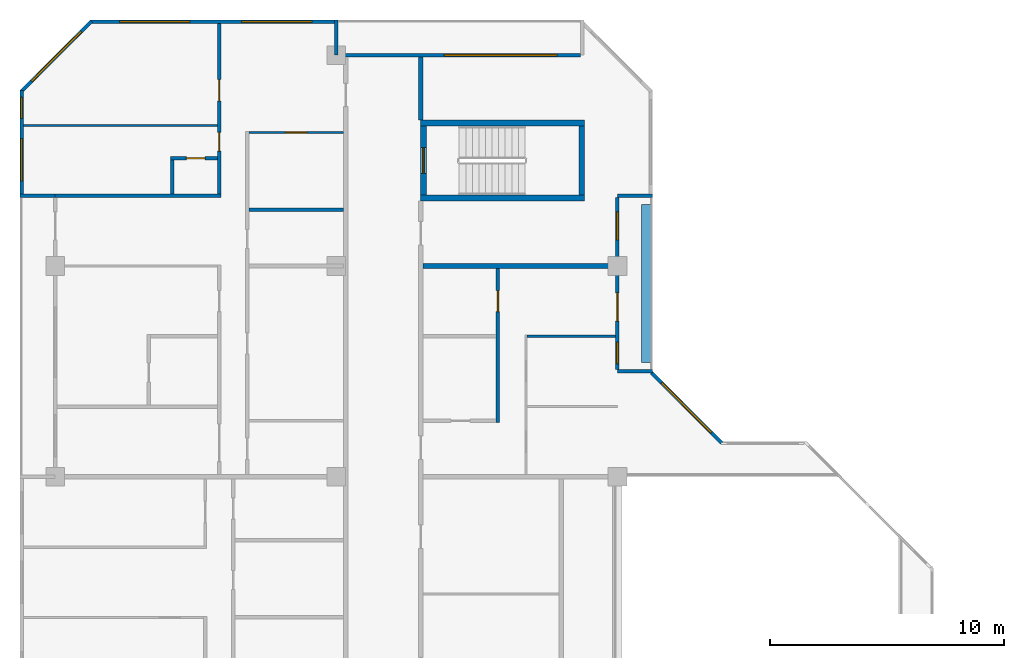
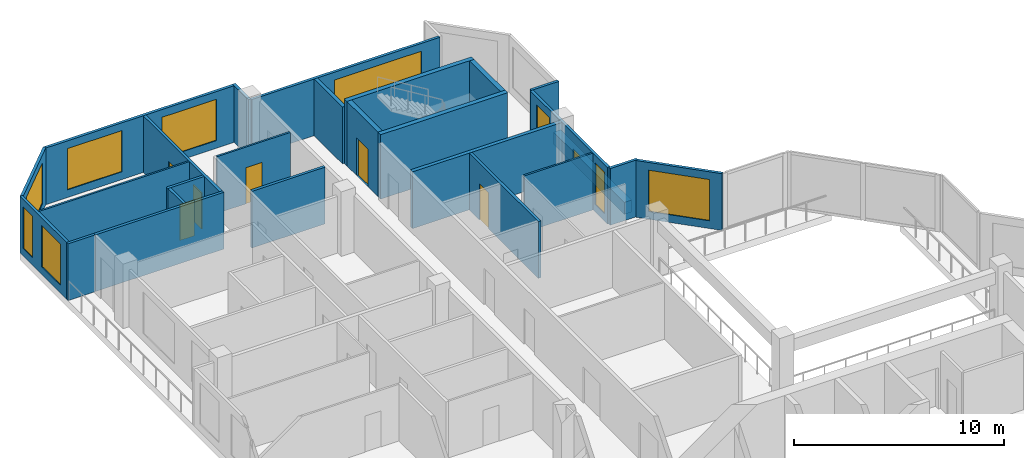
# One storey, part 10 of 13: 26 walls, 9 windows, 7 doors, 16 openings.
"""IFC4 building model written with IfcOpenShell, lengths in metres."""

from ifc_helpers import new_model, si_unit, direction, frame, frame_2d, origin, place, context, subcontext, project, spatial, rectangle, extrude, material, layer, layer_set, type_object, element, fill, save


model = new_model("IFC4")

# Units and contexts
model_context = context("Model", 3, precision=1e-05, world=origin(), true_north=direction((0.0, 1.0)))
body_context = subcontext(model_context, "Body", "Model", "MODEL_VIEW")
ifc_project = project(units=[si_unit("LENGTHUNIT", "METRE"), si_unit("AREAUNIT", "SQUARE_METRE"), si_unit("VOLUMEUNIT", "CUBIC_METRE"), si_unit("PLANEANGLEUNIT", "RADIAN"), si_unit("MASSUNIT", "GRAM", prefix="KILO")], contexts=[model_context])

# Site, building, storey
site_placement = place(None, origin())
site = spatial("IfcSite", under=ifc_project, at=site_placement, CompositionType="ELEMENT")
building_placement = place(site_placement, origin())
building = spatial("IfcBuilding", under=site, at=building_placement, Name="Chenar Terraces", CompositionType="ELEMENT")
storey_placement = place(building_placement, frame((0.0, 0.0, 318.39990234375)))
storey = spatial("IfcBuildingStorey", under=building, at=storey_placement, Name="L75", CompositionType="ELEMENT", Elevation=318.39990234375)

# Walls
ifc_material_1 = material(Name="Concrete C50/60", Category="concrete")
ifc_layer_1 = layer(ifc_material_1, 0.25)
ifc_layer_set_1 = layer_set([ifc_layer_1], Name="Concrete C50/60")
wall_type_1 = type_object("IfcWallType", Name="Core wall 250 Concrete C50/60", PredefinedType="SHEAR", material=ifc_layer_set_1)
for number, where, z_axis, x_axis, name in (
    (1, (15.60009765625, 47.89990234375, 0.0), (0.0, 0.0, 1.0), (1.0, 0.0, 0.0), "Core wall ST4_S L75"),
    (2, (15.60009765625, 51.10009765625, 0.0), (0.0, 0.0, 1.0), (1.0, 0.0, 0.0), "Core wall ST4_N L75"),
):
    element("IfcWall", number, at=place(storey_placement, frame(where, z_axis=z_axis, x_axis=x_axis)), inside=storey, type_object=wall_type_1, Name=name, PredefinedType="SHEAR", context=body_context, shape_type="SweptSolid", body=[
        extrude(rectangle(XDim=7.0, YDim=0.25, at=frame_2d((3.5, 0.0))), origin(), (0.0, 0.0, 1.0), 3.75),
    ])

# Wall, opening, door
wall_1_placement = place(storey_placement, frame((15.72509765625, 48.02490234375, 0.0), z_axis=(0.0, 0.0, 1.0), x_axis=(0.0, 1.0, 0.0)))
wall_1 = element("IfcWall", 3, at=wall_1_placement, inside=storey, type_object=wall_type_1, Name="Core wall ST4_W L75", PredefinedType="SHEAR", context=body_context, shape_type="SweptSolid", body=[
    extrude(rectangle(XDim=2.9501953125, YDim=0.25, at=frame_2d((1.47509765625, 0.0))), origin(), (0.0, 0.0, 1.0), 3.75),
])
opening_1_placement = place(wall_1_placement, frame((0.925048828125, 0.0, 0.0)))
opening_1 = element("IfcOpeningElement", 4, at=opening_1_placement, cuts=wall_1, Name="Opening DL75-C9", PredefinedType="OPENING", context=body_context, shape_type="SweptSolid", body=[
    extrude(rectangle(XDim=1.10009765625, YDim=2.199951171875, at=frame_2d((0.550048828125, 1.10009765625))), frame((0.0, 0.135009765625, 0.0), z_axis=(0.0, -1.0, 0.0), x_axis=(1.0, 0.0, 0.0)), (0.0, 0.0, 1.0), 0.27001953125),
])
ifc_material_2 = material(Name="Steel-framed fire-resisting door leaf", Category="steel")
door_type_1 = type_object("IfcDoorType", Name="Stair fire door FD60 1100 x 2200", OperationType="SINGLE_SWING_LEFT", PredefinedType="DOOR", material=ifc_material_2)
door_1_placement = place(opening_1_placement, frame((1.10009765625, 0.0, 0.0), z_axis=(0.0, 0.0, 1.0), x_axis=(-1.0, 0.0, 0.0)))
door_1 = element("IfcDoor", 5, at=door_1_placement, inside=storey, type_object=door_type_1, Name="Stair door DL75-C9", OperationType="SINGLE_SWING_RIGHT", OverallHeight=2.199951171875, OverallWidth=1.10009765625, PredefinedType="DOOR", context=body_context, shape_type="SweptSolid", body=[
    extrude(rectangle(XDim=1.10009765625, YDim=2.199951171875, at=frame_2d((0.550048828125, 1.10009765625))), frame((0.0, 0.02490234375, 0.0), z_axis=(0.0, -1.0, 0.0), x_axis=(1.0, 0.0, 0.0)), (0.0, 0.0, 1.0), 0.050048828125),
])
fill(opening_1, door_1)

# Walls
wall_2_placement = place(storey_placement, frame((22.47509765625, 48.02490234375, 0.0), z_axis=(0.0, 0.0, 1.0), x_axis=(0.0, 1.0, 0.0)))
element("IfcWall", 6, at=wall_2_placement, inside=storey, type_object=wall_type_1, Name="Core wall ST4_E L75", PredefinedType="SHEAR", context=body_context, shape_type="SweptSolid", body=[
    extrude(rectangle(XDim=2.9501953125, YDim=0.25, at=frame_2d((1.47509765625, 0.0))), origin(), (0.0, 0.0, 1.0), 3.75),
])
ifc_material_3 = material(Name="Gypsum board on steel studs with fire boards", Category="steel")
ifc_layer_2 = layer(ifc_material_3, 0.199951171875)
ifc_layer_set_2 = layer_set([ifc_layer_2], Name="Gypsum board on steel studs with fire boards")
wall_type_2 = type_object("IfcWallType", Name="Corridor wall 200", PredefinedType="PARTITIONING", material=ifc_layer_set_2)
wall_3_placement = place(storey_placement, frame((15.60009765625, 51.22509765625, 0.0), z_axis=(0.0, 0.0, 1.0), x_axis=(0.0, 1.0, 0.0)))
element("IfcWall", 7, at=wall_3_placement, inside=storey, type_object=wall_type_2, Name="Partition L75-037", PredefinedType="PARTITIONING", context=body_context, shape_type="SweptSolid", body=[
    extrude(rectangle(XDim=2.700927734375, YDim=0.199951171875, at=frame_2d((1.3505859375, 0.0))), origin(), (0.0, 0.0, 1.0), 3.300048828125),
])

# Wall, openings, windows
ifc_material_4 = material(Name="Aluminium framed glazing", Category="aluminium")
ifc_layer_3 = layer(ifc_material_4, 0.14990234375)
ifc_layer_set_3 = layer_set([ifc_layer_3], Name="Aluminium framed glazing")
wall_type_3 = type_object("IfcWallType", Name="Glazed flush facade wall 150", PredefinedType="SOLIDWALL", material=ifc_layer_set_3)
wall_4_placement = place(storey_placement, frame((11.925048828125, 55.425048828125, 0.0), z_axis=(0.0, 0.0, 1.0), x_axis=(-1.0, 0.0, 0.0)))
wall_4 = element("IfcWall", 8, at=wall_4_placement, inside=storey, type_object=wall_type_3, Name="Glazed flush facade wall", PredefinedType="SOLIDWALL", context=body_context, shape_type="SweptSolid", body=[
    extrude(rectangle(XDim=10.425048828125, YDim=0.14990234375, at=frame_2d((5.21240234375, 0.0))), origin(), (0.0, 0.0, 1.0), 3.300048828125),
])
opening_2_placement = place(wall_4_placement, frame((0.96240234375, 0.0, 0.449951171875)))
opening_2 = element("IfcOpeningElement", 9, at=opening_2_placement, cuts=wall_4, Name="Opening W300x240", PredefinedType="OPENING", context=body_context, shape_type="SweptSolid", body=[
    extrude(rectangle(XDim=3.0, YDim=2.39990234375, at=frame_2d((1.5, 1.199951171875))), frame((0.0, 0.0849609375, 0.0), z_axis=(0.0, -1.0, 0.0), x_axis=(1.0, 0.0, 0.0)), (0.0, 0.0, 1.0), 0.169921875),
])
opening_3_placement = place(wall_4_placement, frame((6.175048828125, 0.0, 0.449951171875)))
opening_3 = element("IfcOpeningElement", 10, at=opening_3_placement, cuts=wall_4, Name="Opening W300x240", PredefinedType="OPENING", context=body_context, shape_type="SweptSolid", body=[
    extrude(rectangle(XDim=3.0, YDim=2.39990234375, at=frame_2d((1.5, 1.199951171875))), frame((0.0, 0.0849609375, 0.0), z_axis=(0.0, -1.0, 0.0), x_axis=(1.0, 0.0, 0.0)), (0.0, 0.0, 1.0), 0.169921875),
])
ifc_material_5 = material(Name="Low emissivity double glazing, aluminium frame", Category="aluminium")
window_type_1 = type_object("IfcWindowType", Name="Fixed light 3000 x 2400", PartitioningType="SINGLE_PANEL", PredefinedType="WINDOW", material=ifc_material_5)
window_1_placement = place(opening_2_placement, origin())
window_1 = element("IfcWindow", 11, at=window_1_placement, inside=storey, type_object=window_type_1, Name="Window", OverallHeight=2.39990234375, OverallWidth=3.0, PartitioningType="SINGLE_PANEL", PredefinedType="WINDOW", context=body_context, shape_type="SweptSolid", body=[
    extrude(rectangle(XDim=3.0, YDim=2.39990234375, at=frame_2d((1.5, 1.199951171875))), frame((0.0, 0.030029296875, 0.0), z_axis=(0.0, -1.0, 0.0), x_axis=(1.0, 0.0, 0.0)), (0.0, 0.0, 1.0), 0.06005859375),
])
fill(opening_2, window_1)
window_2_placement = place(opening_3_placement, origin())
window_2 = element("IfcWindow", 12, at=window_2_placement, inside=storey, type_object=window_type_1, Name="Window", OverallHeight=2.39990234375, OverallWidth=3.0, PartitioningType="SINGLE_PANEL", PredefinedType="WINDOW", context=body_context, shape_type="SweptSolid", body=[
    extrude(rectangle(XDim=3.0, YDim=2.39990234375, at=frame_2d((1.5, 1.199951171875))), frame((0.0, 0.030029296875, 0.0), z_axis=(0.0, -1.0, 0.0), x_axis=(1.0, 0.0, 0.0)), (0.0, 0.0, 1.0), 0.06005859375),
])
fill(opening_3, window_2)

wall_5_placement = place(storey_placement, frame((-1.425048828125, 52.5, 0.0), z_axis=(0.0, 0.0, 1.0), x_axis=(0.0, -1.0, 0.0)))
wall_5 = element("IfcWall", 13, at=wall_5_placement, inside=storey, type_object=wall_type_3, Name="Glazed flush facade wall", PredefinedType="SOLIDWALL", context=body_context, shape_type="SweptSolid", body=[
    extrude(rectangle(XDim=4.425048828125, YDim=0.14990234375, at=frame_2d((2.21240234375, 0.0))), origin(), (0.0, 0.0, 1.0), 3.300048828125),
])
opening_4_placement = place(wall_5_placement, frame((0.300048828125, 0.0, 0.449951171875)))
opening_4 = element("IfcOpeningElement", 14, at=opening_4_placement, cuts=wall_5, Name="Opening W90x240", PredefinedType="OPENING", context=body_context, shape_type="SweptSolid", body=[
    extrude(rectangle(XDim=0.89990234375, YDim=2.39990234375, at=frame_2d((0.449951171875, 1.199951171875))), frame((0.0, 0.0849609375, 0.0), z_axis=(0.0, -1.0, 0.0), x_axis=(1.0, 0.0, 0.0)), (0.0, 0.0, 1.0), 0.169921875),
])
opening_5_placement = place(wall_5_placement, frame((2.0625, 0.0, 0.449951171875)))
opening_5 = element("IfcOpeningElement", 15, at=opening_5_placement, cuts=wall_5, Name="Opening W180x240", PredefinedType="OPENING", context=body_context, shape_type="SweptSolid", body=[
    extrude(rectangle(XDim=1.800048828125, YDim=2.39990234375, at=frame_2d((0.89990234375, 1.199951171875))), frame((0.0, 0.0849609375, 0.0), z_axis=(0.0, -1.0, 0.0), x_axis=(1.0, 0.0, 0.0)), (0.0, 0.0, 1.0), 0.169921875),
])
ifc_material_6 = material(Name="Low emissivity double glazing, aluminium frame", Category="aluminium")
window_type_2 = type_object("IfcWindowType", Name="Fixed light 1800 x 2400", PartitioningType="SINGLE_PANEL", PredefinedType="WINDOW", material=ifc_material_6)
window_3_placement = place(opening_5_placement, origin())
window_3 = element("IfcWindow", 16, at=window_3_placement, inside=storey, type_object=window_type_2, Name="Window", OverallHeight=2.39990234375, OverallWidth=1.800048828125, PartitioningType="SINGLE_PANEL", PredefinedType="WINDOW", context=body_context, shape_type="SweptSolid", body=[
    extrude(rectangle(XDim=1.800048828125, YDim=2.39990234375, at=frame_2d((0.89990234375, 1.199951171875))), frame((0.0, 0.030029296875, 0.0), z_axis=(0.0, -1.0, 0.0), x_axis=(1.0, 0.0, 0.0)), (0.0, 0.0, 1.0), 0.06005859375),
])
fill(opening_5, window_3)
ifc_material_7 = material(Name="Low emissivity double glazing, aluminium frame", Category="aluminium")
window_type_3 = type_object("IfcWindowType", Name="Fixed light 900 x 2400", PartitioningType="SINGLE_PANEL", PredefinedType="WINDOW", material=ifc_material_7)
window_4_placement = place(opening_4_placement, origin())
window_4 = element("IfcWindow", 17, at=window_4_placement, inside=storey, type_object=window_type_3, Name="Window", OverallHeight=2.39990234375, OverallWidth=0.89990234375, PartitioningType="SINGLE_PANEL", PredefinedType="WINDOW", context=body_context, shape_type="SweptSolid", body=[
    extrude(rectangle(XDim=0.89990234375, YDim=2.39990234375, at=frame_2d((0.449951171875, 1.199951171875))), frame((0.0, 0.030029296875, 0.0), z_axis=(0.0, -1.0, 0.0), x_axis=(1.0, 0.0, 0.0)), (0.0, 0.0, 1.0), 0.06005859375),
])
fill(opening_4, window_4)

# Wall, openings, windows, door
ifc_material_8 = material(Name="Aluminium framed glazing", Category="aluminium")
ifc_layer_4 = layer(ifc_material_8, 0.14990234375)
ifc_layer_set_4 = layer_set([ifc_layer_4], Name="Aluminium framed glazing")
wall_type_4 = type_object("IfcWallType", Name="Glazed loggia back wall 150", PredefinedType="SOLIDWALL", material=ifc_layer_set_4)
wall_6_placement = place(storey_placement, frame((24.0, 40.574951171875, 0.0), z_axis=(0.0, 0.0, 1.0), x_axis=(0.0, 1.0, 0.0)))
wall_6 = element("IfcWall", 18, at=wall_6_placement, inside=storey, type_object=wall_type_4, Name="Glazed loggia back wall", PredefinedType="SOLIDWALL", context=body_context, shape_type="SweptSolid", body=[
    extrude(rectangle(XDim=7.35009765625, YDim=0.14990234375, at=frame_2d((3.675048828125, 0.0))), origin(), (0.0, 0.0, 1.0), 3.300048828125),
])
opening_6_placement = place(wall_6_placement, frame((0.262451171875, 0.0, 0.449951171875)))
opening_6 = element("IfcOpeningElement", 19, at=opening_6_placement, cuts=wall_6, Name="Opening W90x240", PredefinedType="OPENING", context=body_context, shape_type="SweptSolid", body=[
    extrude(rectangle(XDim=0.89990234375, YDim=2.39990234375, at=frame_2d((0.449951171875, 1.199951171875))), frame((0.0, 0.0849609375, 0.0), z_axis=(0.0, -1.0, 0.0), x_axis=(1.0, 0.0, 0.0)), (0.0, 0.0, 1.0), 0.169921875),
])
opening_7_placement = place(wall_6_placement, frame((2.074951171875, 0.0, 0.0)))
opening_7 = element("IfcOpeningElement", 20, at=opening_7_placement, cuts=wall_6, Name="Opening DL75-G1", PredefinedType="OPENING", context=body_context, shape_type="SweptSolid", body=[
    extrude(rectangle(XDim=1.199951171875, YDim=2.39990234375, at=frame_2d((0.60009765625, 1.199951171875))), frame((0.0, 0.0849609375, 0.0), z_axis=(0.0, -1.0, 0.0), x_axis=(1.0, 0.0, 0.0)), (0.0, 0.0, 1.0), 0.169921875),
])
opening_8_placement = place(wall_6_placement, frame((5.53759765625, 0.0, 0.449951171875)))
opening_8 = element("IfcOpeningElement", 21, at=opening_8_placement, cuts=wall_6, Name="Opening W120x240", PredefinedType="OPENING", context=body_context, shape_type="SweptSolid", body=[
    extrude(rectangle(XDim=1.199951171875, YDim=2.39990234375, at=frame_2d((0.60009765625, 1.199951171875))), frame((0.0, 0.0849609375, 0.0), z_axis=(0.0, -1.0, 0.0), x_axis=(1.0, 0.0, 0.0)), (0.0, 0.0, 1.0), 0.169921875),
])
ifc_material_9 = material(Name="Low emissivity double glazing, aluminium frame", Category="aluminium")
window_type_4 = type_object("IfcWindowType", Name="Fixed light 1200 x 2400", PartitioningType="SINGLE_PANEL", PredefinedType="WINDOW", material=ifc_material_9)
window_5_placement = place(opening_8_placement, origin())
window_5 = element("IfcWindow", 22, at=window_5_placement, inside=storey, type_object=window_type_4, Name="Window", OverallHeight=2.39990234375, OverallWidth=1.199951171875, PartitioningType="SINGLE_PANEL", PredefinedType="WINDOW", context=body_context, shape_type="SweptSolid", body=[
    extrude(rectangle(XDim=1.199951171875, YDim=2.39990234375, at=frame_2d((0.60009765625, 1.199951171875))), frame((0.0, 0.030029296875, 0.0), z_axis=(0.0, -1.0, 0.0), x_axis=(1.0, 0.0, 0.0)), (0.0, 0.0, 1.0), 0.06005859375),
])
fill(opening_8, window_5)
window_6_placement = place(opening_6_placement, origin())
window_6 = element("IfcWindow", 23, at=window_6_placement, inside=storey, type_object=window_type_3, Name="Window", OverallHeight=2.39990234375, OverallWidth=0.89990234375, PartitioningType="SINGLE_PANEL", PredefinedType="WINDOW", context=body_context, shape_type="SweptSolid", body=[
    extrude(rectangle(XDim=0.89990234375, YDim=2.39990234375, at=frame_2d((0.449951171875, 1.199951171875))), frame((0.0, 0.030029296875, 0.0), z_axis=(0.0, -1.0, 0.0), x_axis=(1.0, 0.0, 0.0)), (0.0, 0.0, 1.0), 0.06005859375),
])
fill(opening_6, window_6)
ifc_material_10 = material(Name="Low emissivity double glazing, aluminium frame", Category="aluminium")
door_type_2 = type_object("IfcDoorType", Name="Loggia glazed double door 1200 x 2400", OperationType="DOUBLE_DOOR_SINGLE_SWING", PredefinedType="DOOR", material=ifc_material_10)
door_2_placement = place(opening_7_placement, frame((1.199951171875, 0.0, 0.0), z_axis=(0.0, 0.0, 1.0), x_axis=(-1.0, 0.0, 0.0)))
door_2 = element("IfcDoor", 24, at=door_2_placement, inside=storey, type_object=door_type_2, Name="Loggia glazed door", OperationType="DOUBLE_DOOR_SINGLE_SWING", OverallHeight=2.39990234375, OverallWidth=1.199951171875, PredefinedType="DOOR", context=body_context, shape_type="SweptSolid", body=[
    extrude(rectangle(XDim=1.199951171875, YDim=2.39990234375, at=frame_2d((0.60009765625, 1.199951171875))), frame((0.0, 0.02490234375, 0.0), z_axis=(0.0, -1.0, 0.0), x_axis=(1.0, 0.0, 0.0)), (0.0, 0.0, 1.0), 0.050048828125),
])
fill(opening_7, door_2)

# Wall, opening, window
wall_7_placement = place(storey_placement, frame((22.425048828125, 54.0, 0.0), z_axis=(0.0, 0.0, 1.0), x_axis=(-1.0, 0.0, 0.0)))
wall_7 = element("IfcWall", 25, at=wall_7_placement, inside=storey, type_object=wall_type_4, Name="Glazed loggia back wall", PredefinedType="SOLIDWALL", context=body_context, shape_type="SweptSolid", body=[
    extrude(rectangle(XDim=10.35009765625, YDim=0.14990234375, at=frame_2d((5.175048828125, 0.0))), origin(), (0.0, 0.0, 1.0), 3.300048828125),
])
opening_9_placement = place(wall_7_placement, frame((1.012451171875, 0.0, 0.449951171875)))
opening_9 = element("IfcOpeningElement", 26, at=opening_9_placement, cuts=wall_7, Name="Opening W480x240", PredefinedType="OPENING", context=body_context, shape_type="SweptSolid", body=[
    extrude(rectangle(XDim=4.800048828125, YDim=2.39990234375, at=frame_2d((2.39990234375, 1.199951171875))), frame((0.0, 0.0849609375, 0.0), z_axis=(0.0, -1.0, 0.0), x_axis=(1.0, 0.0, 0.0)), (0.0, 0.0, 1.0), 0.169921875),
])
ifc_material_11 = material(Name="Low emissivity double glazing, aluminium frame", Category="aluminium")
window_type_5 = type_object("IfcWindowType", Name="Fixed light 4800 x 2400", PartitioningType="SINGLE_PANEL", PredefinedType="WINDOW", material=ifc_material_11)
window_7_placement = place(opening_9_placement, origin())
window_7 = element("IfcWindow", 27, at=window_7_placement, inside=storey, type_object=window_type_5, Name="Window", OverallHeight=2.39990234375, OverallWidth=4.800048828125, PartitioningType="SINGLE_PANEL", PredefinedType="WINDOW", context=body_context, shape_type="SweptSolid", body=[
    extrude(rectangle(XDim=4.800048828125, YDim=2.39990234375, at=frame_2d((2.39990234375, 1.199951171875))), frame((0.0, 0.030029296875, 0.0), z_axis=(0.0, -1.0, 0.0), x_axis=(1.0, 0.0, 0.0)), (0.0, 0.0, 1.0), 0.06005859375),
])
fill(opening_9, window_7)

# Wall
ifc_material_12 = material(Name="Gypsum board on steel studs", Category="steel")
ifc_layer_5 = layer(ifc_material_12, 0.10009765625)
ifc_layer_set_5 = layer_set([ifc_layer_5], Name="Gypsum board on steel studs")
wall_type_5 = type_object("IfcWallType", Name="Gypsum partition 100", PredefinedType="PARTITIONING", material=ifc_layer_set_5)
wall_8_placement = place(storey_placement, frame((-1.35107421875, 51.0, 0.0), z_axis=(0.0, 0.0, 1.0), x_axis=(1.0, 0.0, 0.0)))
element("IfcWall", 28, at=wall_8_placement, inside=storey, type_object=wall_type_5, Name="Partition L75-001", PredefinedType="PARTITIONING", context=body_context, shape_type="SweptSolid", body=[
    extrude(rectangle(XDim=8.276123046875, YDim=0.10009765625, at=frame_2d((4.13818359375, 0.0))), origin(), (0.0, 0.0, 1.0), 3.300048828125),
])

# Wall, opening, door
wall_9_placement = place(storey_placement, frame((8.27490234375, 50.699951171875, 0.0), z_axis=(0.0, 0.0, 1.0), x_axis=(1.0, 0.0, 0.0)))
wall_9 = element("IfcWall", 29, at=wall_9_placement, inside=storey, type_object=wall_type_5, Name="Partition L75-029", PredefinedType="PARTITIONING", context=body_context, shape_type="SweptSolid", body=[
    extrude(rectangle(XDim=4.025146484375, YDim=0.10009765625, at=frame_2d((2.0126953125, 0.0))), origin(), (0.0, 0.0, 1.0), 3.300048828125),
])
opening_10_placement = place(wall_9_placement, frame((1.574951171875, 0.0, 0.0)))
opening_10 = element("IfcOpeningElement", 30, at=opening_10_placement, cuts=wall_9, Name="Opening DL75-28", PredefinedType="OPENING", context=body_context, shape_type="SweptSolid", body=[
    extrude(rectangle(XDim=0.89990234375, YDim=2.10009765625, at=frame_2d((0.449951171875, 1.050048828125))), frame((0.0, 0.06005859375, 0.0), z_axis=(0.0, -1.0, 0.0), x_axis=(1.0, 0.0, 0.0)), (0.0, 0.0, 1.0), 0.1201171875),
])
ifc_material_13 = material(Name="Veneered timber door leaf", Category="wood")
door_type_3 = type_object("IfcDoorType", Name="Door 900 x 2100", OperationType="SINGLE_SWING_LEFT", PredefinedType="DOOR", material=ifc_material_13)
door_3_placement = place(opening_10_placement, frame((0.89990234375, 0.0, 0.0), z_axis=(0.0, 0.0, 1.0), x_axis=(-1.0, 0.0, 0.0)))
door_3 = element("IfcDoor", 31, at=door_3_placement, inside=storey, type_object=door_type_3, Name="Door DL75-28", OperationType="SINGLE_SWING_LEFT", OverallHeight=2.10009765625, OverallWidth=0.89990234375, PredefinedType="DOOR", context=body_context, shape_type="SweptSolid", body=[
    extrude(rectangle(XDim=0.89990234375, YDim=2.10009765625, at=frame_2d((0.449951171875, 1.050048828125))), frame((0.0, 0.02490234375, 0.0), z_axis=(0.0, -1.0, 0.0), x_axis=(1.0, 0.0, 0.0)), (0.0, 0.0, 1.0), 0.050048828125),
])
fill(opening_10, door_3)

# Walls
wall_10_placement = place(storey_placement, frame((20.14990234375, 42.0, 0.0), z_axis=(0.0, 0.0, 1.0), x_axis=(1.0, 0.0, 0.0)))
element("IfcWall", 32, at=wall_10_placement, inside=storey, type_object=wall_type_5, Name="Partition L75-049", PredefinedType="PARTITIONING", context=body_context, shape_type="SweptSolid", body=[
    extrude(rectangle(XDim=3.776123046875, YDim=0.10009765625, at=frame_2d((1.88818359375, 0.0))), origin(), (0.0, 0.0, 1.0), 3.300048828125),
])
ifc_material_14 = material(Name="Terracotta cladding on insulated backing", Category="masonry")
ifc_layer_6 = layer(ifc_material_14, 0.14990234375)
ifc_layer_set_6 = layer_set([ifc_layer_6], Name="Terracotta cladding on insulated backing")
wall_type_6 = type_object("IfcWallType", Name="Loggia return wall 150", PredefinedType="SOLIDWALL", material=ifc_layer_set_6)
for number, where, z_axis, x_axis, name in (
    (33, (25.5, 40.5, 0.0), (0.0, 0.0, 1.0), (-1.0, 0.0, 0.0), "Loggia return wall"),
    (34, (25.5, 48.0, 0.0), (0.0, 0.0, 1.0), (-1.0, 0.0, 0.0), "Loggia return wall"),
    (35, (12.0, 55.5, 0.0), (0.0, 0.0, 1.0), (0.0, -1.0, 0.0), "Loggia return wall"),
    (36, (-1.5, 48.0, 0.0), (0.0, 0.0, 1.0), (1.0, 0.0, 0.0), "Loggia return wall"),
):
    element("IfcWall", number, at=place(storey_placement, frame(where, z_axis=z_axis, x_axis=x_axis)), inside=storey, type_object=wall_type_6, Name=name, PredefinedType="SOLIDWALL", context=body_context, shape_type="SweptSolid", body=[
        extrude(rectangle(XDim=1.5, YDim=0.14990234375, at=frame_2d((0.75, 0.0))), origin(), (0.0, 0.0, 1.0), 3.300048828125),
    ])

# Wall, opening, window
ifc_material_15 = material(Name="Terracotta cladding on insulated backing", Category="masonry")
ifc_layer_7 = layer(ifc_material_15, 0.14990234375)
ifc_layer_set_7 = layer_set([ifc_layer_7], Name="Terracotta cladding on insulated backing")
wall_type_7 = type_object("IfcWallType", Name="Terracotta rainscreen wall 150", PredefinedType="SOLIDWALL", material=ifc_layer_set_7)
wall_11_placement = place(storey_placement, frame((28.447021484375, 37.447021484375, 0.0), z_axis=(0.0, 0.0, 1.0), x_axis=(-0.707106781187, 0.707106781187, 0.0)))
wall_11 = element("IfcWall", 37, at=wall_11_placement, inside=storey, type_object=wall_type_7, Name="Terracotta rainscreen wall", PredefinedType="SOLIDWALL", context=body_context, shape_type="SweptSolid", body=[
    extrude(rectangle(XDim=4.24267578125, YDim=0.14990234375, at=frame_2d((2.121337890625, 0.0))), origin(), (0.0, 0.0, 1.0), 3.300048828125),
])
opening_11_placement = place(wall_11_placement, frame((0.621337890625, 0.0, 0.449951171875)))
opening_11 = element("IfcOpeningElement", 38, at=opening_11_placement, cuts=wall_11, Name="Opening W300x240", PredefinedType="OPENING", context=body_context, shape_type="SweptSolid", body=[
    extrude(rectangle(XDim=3.0, YDim=2.39990234375, at=frame_2d((1.5, 1.199951171875))), frame((0.0, 0.0849609375, 0.0), z_axis=(0.0, -1.0, 0.0), x_axis=(1.0, 0.0, 0.0)), (0.0, 0.0, 1.0), 0.169921875),
])
window_8_placement = place(opening_11_placement, origin())
window_8 = element("IfcWindow", 39, at=window_8_placement, inside=storey, type_object=window_type_1, Name="Window", OverallHeight=2.39990234375, OverallWidth=3.0, PartitioningType="SINGLE_PANEL", PredefinedType="WINDOW", context=body_context, shape_type="SweptSolid", body=[
    extrude(rectangle(XDim=3.0, YDim=2.39990234375, at=frame_2d((1.5, 1.199951171875))), frame((0.0, 0.030029296875, 0.0), z_axis=(0.0, -1.0, 0.0), x_axis=(1.0, 0.0, 0.0)), (0.0, 0.0, 1.0), 0.06005859375),
])
fill(opening_11, window_8)

wall_12_placement = place(storey_placement, frame((1.552978515625, 55.447021484375, 0.0), z_axis=(0.0, 0.0, 1.0), x_axis=(-0.707106781187, -0.707106781187, 0.0)))
wall_12 = element("IfcWall", 40, at=wall_12_placement, inside=storey, type_object=wall_type_7, Name="Terracotta rainscreen wall", PredefinedType="SOLIDWALL", context=body_context, shape_type="SweptSolid", body=[
    extrude(rectangle(XDim=4.24267578125, YDim=0.14990234375, at=frame_2d((2.121337890625, 0.0))), origin(), (0.0, 0.0, 1.0), 3.300048828125),
])
opening_12_placement = place(wall_12_placement, frame((0.621337890625, 0.0, 0.449951171875)))
opening_12 = element("IfcOpeningElement", 41, at=opening_12_placement, cuts=wall_12, Name="Opening W300x240", PredefinedType="OPENING", context=body_context, shape_type="SweptSolid", body=[
    extrude(rectangle(XDim=3.0, YDim=2.39990234375, at=frame_2d((1.5, 1.199951171875))), frame((0.0, 0.0849609375, 0.0), z_axis=(0.0, -1.0, 0.0), x_axis=(1.0, 0.0, 0.0)), (0.0, 0.0, 1.0), 0.169921875),
])
window_9_placement = place(opening_12_placement, origin())
window_9 = element("IfcWindow", 42, at=window_9_placement, inside=storey, type_object=window_type_1, Name="Window", OverallHeight=2.39990234375, OverallWidth=3.0, PartitioningType="SINGLE_PANEL", PredefinedType="WINDOW", context=body_context, shape_type="SweptSolid", body=[
    extrude(rectangle(XDim=3.0, YDim=2.39990234375, at=frame_2d((1.5, 1.199951171875))), frame((0.0, 0.030029296875, 0.0), z_axis=(0.0, -1.0, 0.0), x_axis=(1.0, 0.0, 0.0)), (0.0, 0.0, 1.0), 0.06005859375),
])
fill(opening_12, window_9)

# Walls
ifc_material_16 = material(Name="Twin gypsum board on steel studs with mineral wool", Category="steel")
ifc_layer_8 = layer(ifc_material_16, 0.199951171875)
ifc_layer_set_8 = layer_set([ifc_layer_8], Name="Twin gypsum board on steel studs with mineral wool")
wall_type_8 = type_object("IfcWallType", Name="Unit demising wall 200", PredefinedType="PARTITIONING", material=ifc_layer_set_8)
wall_13_placement = place(storey_placement, frame((15.699951171875, 45.0, 0.0), z_axis=(0.0, 0.0, 1.0), x_axis=(1.0, 0.0, 0.0)))
element("IfcWall", 43, at=wall_13_placement, inside=storey, type_object=wall_type_8, Name="Partition L75-043", PredefinedType="PARTITIONING", context=body_context, shape_type="SweptSolid", body=[
    extrude(rectangle(XDim=8.22607421875, YDim=0.199951171875, at=frame_2d((4.113037109375, 0.0))), origin(), (0.0, 0.0, 1.0), 3.300048828125),
])
ifc_material_17 = material(Name="GRP planter trough")
ifc_layer_9 = layer(ifc_material_17, 0.39990234375)
ifc_layer_set_9 = layer_set([ifc_layer_9], Name="GRP planter trough")
wall_type_9 = type_object("IfcWallType", Name="Vertical greenery planter 400", PredefinedType="SOLIDWALL", material=ifc_layer_set_9)
wall_14_placement = place(storey_placement, frame((25.22900390625, 40.875, 0.0), z_axis=(0.0, 0.0, 1.0), x_axis=(0.0, 1.0, 0.0)))
element("IfcWall", 44, at=wall_14_placement, inside=storey, type_object=wall_type_9, Name="Vertical greenery planter", PredefinedType="SOLIDWALL", context=body_context, shape_type="SweptSolid", body=[
    extrude(rectangle(XDim=6.75, YDim=0.39990234375, at=frame_2d((3.375, 0.0))), origin(), (0.0, 0.0, 1.0), 0.7001953125),
])
ifc_material_18 = material(Name="Moisture-resistant gypsum board on steel studs", Category="steel")
ifc_layer_10 = layer(ifc_material_18, 0.14990234375)
ifc_layer_set_10 = layer_set([ifc_layer_10], Name="Moisture-resistant gypsum board on steel studs")
wall_type_10 = type_object("IfcWallType", Name="Wet-room partition 150", PredefinedType="PARTITIONING", material=ifc_layer_set_10)
wall_15_placement = place(storey_placement, frame((0.0, 48.0, 0.0), z_axis=(0.0, 0.0, 1.0), x_axis=(1.0, 0.0, 0.0)))
element("IfcWall", 45, at=wall_15_placement, inside=storey, type_object=wall_type_10, Name="Partition L75-005", PredefinedType="PARTITIONING", context=body_context, shape_type="SweptSolid", body=[
    extrude(rectangle(XDim=7.074951171875, YDim=0.14990234375, at=frame_2d((3.53759765625, 0.0))), origin(), (0.0, 0.0, 1.0), 3.300048828125),
])

# Wall, opening, door
wall_16_placement = place(storey_placement, frame((4.925048828125, 49.60009765625, 0.0), z_axis=(0.0, 0.0, 1.0), x_axis=(1.0, 0.0, 0.0)))
wall_16 = element("IfcWall", 46, at=wall_16_placement, inside=storey, type_object=wall_type_10, Name="Partition L75-015", PredefinedType="PARTITIONING", context=body_context, shape_type="SweptSolid", body=[
    extrude(rectangle(XDim=2.0, YDim=0.14990234375, at=frame_2d((1.0, 0.0))), origin(), (0.0, 0.0, 1.0), 3.300048828125),
])
opening_13_placement = place(wall_16_placement, frame((0.675048828125, 0.0, 0.0)))
opening_13 = element("IfcOpeningElement", 47, at=opening_13_placement, cuts=wall_16, Name="Opening DL75-25", PredefinedType="OPENING", context=body_context, shape_type="SweptSolid", body=[
    extrude(rectangle(XDim=0.800048828125, YDim=2.10009765625, at=frame_2d((0.39990234375, 1.050048828125))), frame((0.0, 0.0849609375, 0.0), z_axis=(0.0, -1.0, 0.0), x_axis=(1.0, 0.0, 0.0)), (0.0, 0.0, 1.0), 0.169921875),
])
ifc_material_19 = material(Name="Veneered timber door leaf", Category="wood")
door_type_4 = type_object("IfcDoorType", Name="Door 800 x 2100", OperationType="SINGLE_SWING_LEFT", PredefinedType="DOOR", material=ifc_material_19)
door_4_placement = place(opening_13_placement, frame((0.800048828125, 0.0, 0.0), z_axis=(0.0, 0.0, 1.0), x_axis=(-1.0, 0.0, 0.0)))
door_4 = element("IfcDoor", 48, at=door_4_placement, inside=storey, type_object=door_type_4, Name="Door DL75-25", OperationType="SINGLE_SWING_RIGHT", OverallHeight=2.10009765625, OverallWidth=0.800048828125, PredefinedType="DOOR", context=body_context, shape_type="SweptSolid", body=[
    extrude(rectangle(XDim=0.800048828125, YDim=2.10009765625, at=frame_2d((0.39990234375, 1.050048828125))), frame((0.0, 0.02490234375, 0.0), z_axis=(0.0, -1.0, 0.0), x_axis=(1.0, 0.0, 0.0)), (0.0, 0.0, 1.0), 0.050048828125),
])
fill(opening_13, door_4)

# Wall
wall_17_placement = place(storey_placement, frame((5.0, 48.074951171875, 0.0), z_axis=(0.0, 0.0, 1.0), x_axis=(0.0, 1.0, 0.0)))
element("IfcWall", 49, at=wall_17_placement, inside=storey, type_object=wall_type_10, Name="Partition L75-016", PredefinedType="PARTITIONING", context=body_context, shape_type="SweptSolid", body=[
    extrude(rectangle(XDim=1.449951171875, YDim=0.14990234375, at=frame_2d((0.72509765625, 0.0))), origin(), (0.0, 0.0, 1.0), 3.300048828125),
])

# Wall, openings, doors
wall_18_placement = place(storey_placement, frame((7.0, 48.074951171875, 0.0), z_axis=(0.0, 0.0, 1.0), x_axis=(0.0, 1.0, 0.0)))
wall_18 = element("IfcWall", 50, at=wall_18_placement, inside=storey, type_object=wall_type_10, Name="Partition L75-020", PredefinedType="PARTITIONING", context=body_context, shape_type="SweptSolid", body=[
    extrude(rectangle(XDim=7.275146484375, YDim=0.14990234375, at=frame_2d((3.6376953125, 0.0))), origin(), (0.0, 0.0, 1.0), 3.300048828125),
])
opening_14_placement = place(wall_18_placement, frame((3.97509765625, 0.0, 0.0)))
opening_14 = element("IfcOpeningElement", 51, at=opening_14_placement, cuts=wall_18, Name="Opening DL75-19", PredefinedType="OPENING", context=body_context, shape_type="SweptSolid", body=[
    extrude(rectangle(XDim=0.89990234375, YDim=2.10009765625, at=frame_2d((0.449951171875, 1.050048828125))), frame((0.0, 0.0849609375, 0.0), z_axis=(0.0, -1.0, 0.0), x_axis=(1.0, 0.0, 0.0)), (0.0, 0.0, 1.0), 0.169921875),
])
opening_15_placement = place(wall_18_placement, frame((1.824951171875, 0.0, 0.0)))
opening_15 = element("IfcOpeningElement", 52, at=opening_15_placement, cuts=wall_18, Name="Opening DL75-24", PredefinedType="OPENING", context=body_context, shape_type="SweptSolid", body=[
    extrude(rectangle(XDim=0.800048828125, YDim=2.10009765625, at=frame_2d((0.39990234375, 1.050048828125))), frame((0.0, 0.0849609375, 0.0), z_axis=(0.0, -1.0, 0.0), x_axis=(1.0, 0.0, 0.0)), (0.0, 0.0, 1.0), 0.169921875),
])
door_5_placement = place(opening_15_placement, origin())
door_5 = element("IfcDoor", 53, at=door_5_placement, inside=storey, type_object=door_type_4, Name="Door DL75-24", OperationType="SINGLE_SWING_RIGHT", OverallHeight=2.10009765625, OverallWidth=0.800048828125, PredefinedType="DOOR", context=body_context, shape_type="SweptSolid", body=[
    extrude(rectangle(XDim=0.800048828125, YDim=2.10009765625, at=frame_2d((0.39990234375, 1.050048828125))), frame((0.0, 0.02490234375, 0.0), z_axis=(0.0, -1.0, 0.0), x_axis=(1.0, 0.0, 0.0)), (0.0, 0.0, 1.0), 0.050048828125),
])
fill(opening_15, door_5)
door_6_placement = place(opening_14_placement, origin())
door_6 = element("IfcDoor", 54, at=door_6_placement, inside=storey, type_object=door_type_3, Name="Door DL75-19", OperationType="SINGLE_SWING_LEFT", OverallHeight=2.10009765625, OverallWidth=0.89990234375, PredefinedType="DOOR", context=body_context, shape_type="SweptSolid", body=[
    extrude(rectangle(XDim=0.89990234375, YDim=2.10009765625, at=frame_2d((0.449951171875, 1.050048828125))), frame((0.0, 0.02490234375, 0.0), z_axis=(0.0, -1.0, 0.0), x_axis=(1.0, 0.0, 0.0)), (0.0, 0.0, 1.0), 0.050048828125),
])
fill(opening_14, door_6)

# Wall
wall_19_placement = place(storey_placement, frame((8.27490234375, 47.39990234375, 0.0), z_axis=(0.0, 0.0, 1.0), x_axis=(1.0, 0.0, 0.0)))
element("IfcWall", 55, at=wall_19_placement, inside=storey, type_object=wall_type_10, Name="Partition L75-028", PredefinedType="PARTITIONING", context=body_context, shape_type="SweptSolid", body=[
    extrude(rectangle(XDim=4.025146484375, YDim=0.14990234375, at=frame_2d((2.0126953125, 0.0))), origin(), (0.0, 0.0, 1.0), 3.300048828125),
])

# Wall, opening, door
wall_20_placement = place(storey_placement, frame((18.89990234375, 38.324951171875, 0.0), z_axis=(0.0, 0.0, 1.0), x_axis=(0.0, 1.0, 0.0)))
wall_20 = element("IfcWall", 56, at=wall_20_placement, inside=storey, type_object=wall_type_10, Name="Partition L75-046", PredefinedType="PARTITIONING", context=body_context, shape_type="SweptSolid", body=[
    extrude(rectangle(XDim=6.574951171875, YDim=0.14990234375, at=frame_2d((3.28759765625, 0.0))), origin(), (0.0, 0.0, 1.0), 3.300048828125),
])
opening_16_placement = place(wall_20_placement, frame((4.72509765625, 0.0, 0.0)))
opening_16 = element("IfcOpeningElement", 57, at=opening_16_placement, cuts=wall_20, Name="Opening DL75-16", PredefinedType="OPENING", context=body_context, shape_type="SweptSolid", body=[
    extrude(rectangle(XDim=0.89990234375, YDim=2.10009765625, at=frame_2d((0.449951171875, 1.050048828125))), frame((0.0, 0.0849609375, 0.0), z_axis=(0.0, -1.0, 0.0), x_axis=(1.0, 0.0, 0.0)), (0.0, 0.0, 1.0), 0.169921875),
])
door_7_placement = place(opening_16_placement, origin())
door_7 = element("IfcDoor", 58, at=door_7_placement, inside=storey, type_object=door_type_3, Name="Door DL75-16", OperationType="SINGLE_SWING_LEFT", OverallHeight=2.10009765625, OverallWidth=0.89990234375, PredefinedType="DOOR", context=body_context, shape_type="SweptSolid", body=[
    extrude(rectangle(XDim=0.89990234375, YDim=2.10009765625, at=frame_2d((0.449951171875, 1.050048828125))), frame((0.0, 0.02490234375, 0.0), z_axis=(0.0, -1.0, 0.0), x_axis=(1.0, 0.0, 0.0)), (0.0, 0.0, 1.0), 0.050048828125),
])
fill(opening_16, door_7)

save(model, "model.ifc")
